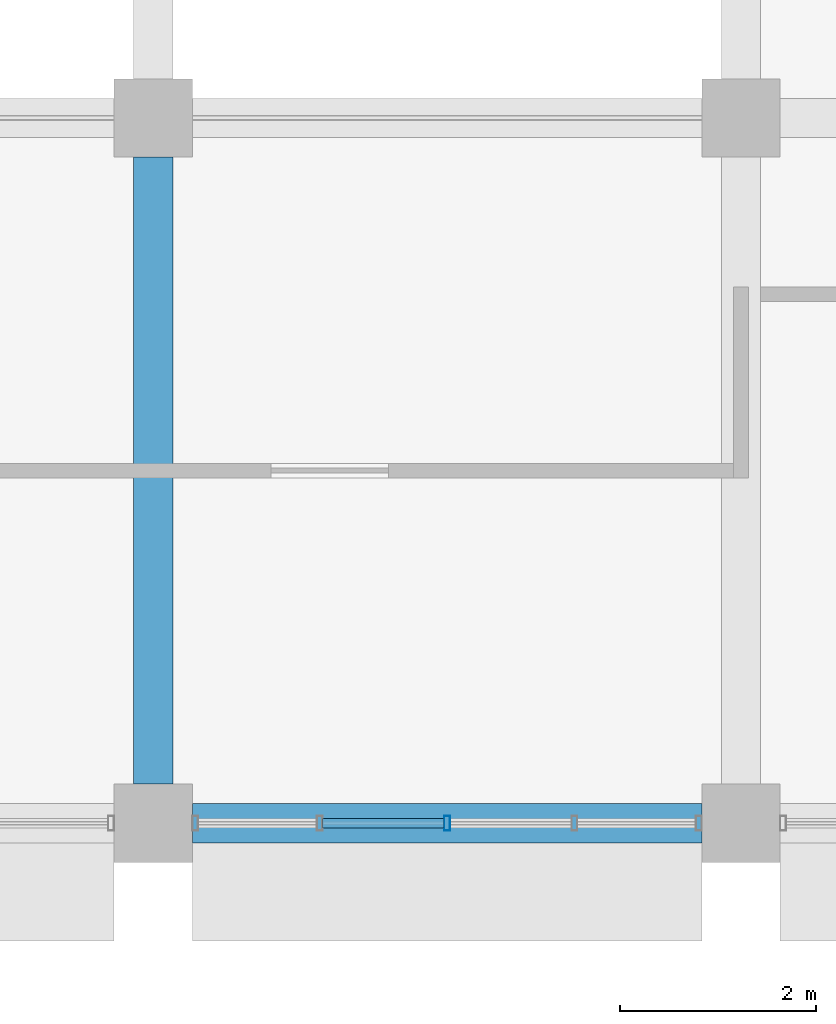
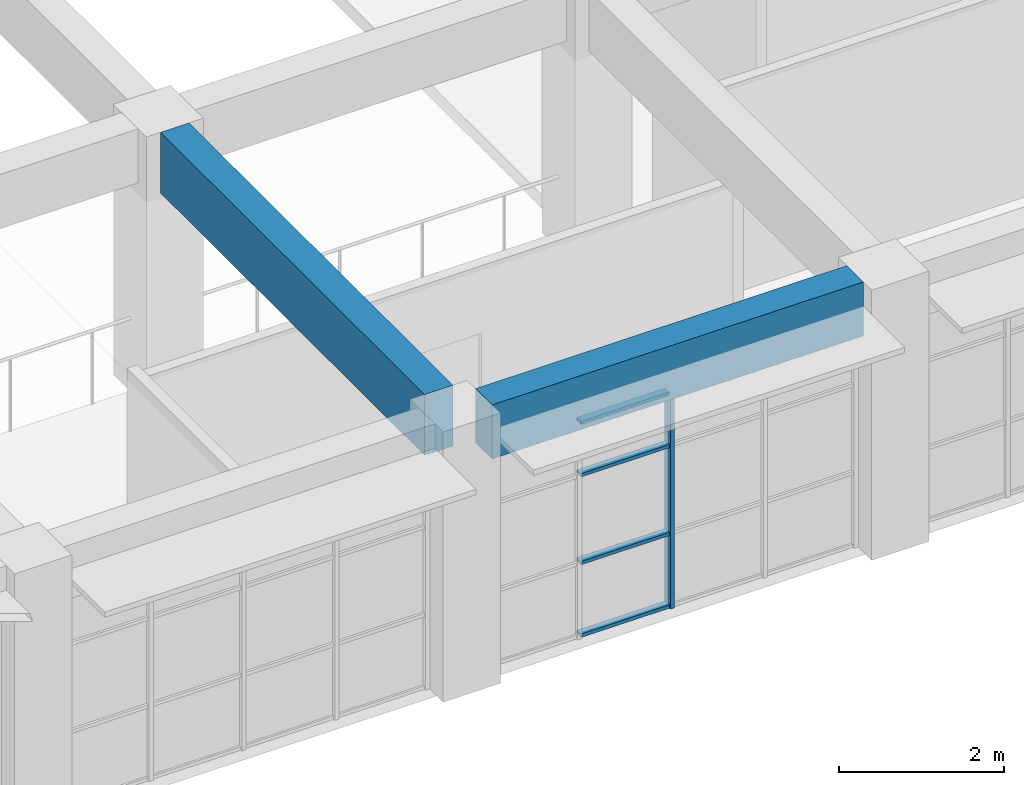
# One storey, part 11 of 47: 5 members, 2 beams, 1 element without a shape of its own.
"""IFC4 building model written with IfcOpenShell, lengths in metres."""

from ifc_helpers import new_model, si_unit, direction, frame, origin, origin_2d, place, context, subcontext, project, spatial, rectangle, hollow_rectangle, extrude, material, material_profile, profile_set, type_object, element, aggregate, save


model = new_model("IFC4")

# Units and contexts
model_context = context("Model", 3, precision=1e-05, world=origin(), true_north=direction((0.0, 1.0)))
body_context = subcontext(model_context, "Body", "Model", "MODEL_VIEW")
ifc_project = project(units=[si_unit("LENGTHUNIT", "METRE"), si_unit("AREAUNIT", "SQUARE_METRE"), si_unit("VOLUMEUNIT", "CUBIC_METRE"), si_unit("PLANEANGLEUNIT", "RADIAN"), si_unit("MASSUNIT", "GRAM", prefix="KILO")], contexts=[model_context])

# Site, building, storey
site_placement = place(None, origin())
site = spatial("IfcSite", under=ifc_project, at=site_placement, CompositionType="ELEMENT")
building_placement = place(site_placement, origin())
building = spatial("IfcBuilding", under=site, at=building_placement, Name="Laocheng Heights Fire and Rescue Headquarters", CompositionType="ELEMENT")
storey_placement = place(building_placement, frame((0.0, 0.0, 16.800048828125)))
storey = spatial("IfcBuildingStorey", under=building, at=storey_placement, Name="L04", CompositionType="ELEMENT", Elevation=16.800048828125)

# Curtain wall, members
ifc_material_1 = material(Name="Dark anodised aluminium unitised curtain wall, low-e double glazing", Category="aluminium")
curtain_wall_type = type_object("IfcCurtainWallType", Name="CW 5200 x 3200 HQ SOUTH RIBBON", PredefinedType="NOTDEFINED", material=ifc_material_1)
curtain_wall_placement = place(storey_placement, origin())
curtain_wall = element("IfcCurtainWall", 1, at=curtain_wall_placement, inside=storey, type_object=curtain_wall_type, Name="X13-X HQ SOUTH L04", PredefinedType="NOTDEFINED")
ifc_material_2 = material(Name="Dark anodised aluminium 6063-T5 extrusion", Category="aluminium")
ifc_material_profile_1 = material_profile(ifc_material_2, hollow_rectangle(XDim=0.14990234375, YDim=0.06005859375, WallThickness=0.0029296875, at=origin_2d()), Name="AL MULLION 150x60x3 HQ SOUTH RIBBON")
ifc_profile_set_1 = profile_set([ifc_material_profile_1], Name="Dark anodised aluminium 6063-T5 extrusion")
member_type_1 = type_object("IfcMemberType", Name="AL MULLION 150x60x3 HQ SOUTH RIBBON", PredefinedType="MULLION", material=ifc_profile_set_1)
member_1_placement = place(storey_placement, frame((63.0, 50.39990234375, 0.0), z_axis=(0.0, 0.0, 1.0), x_axis=(0.0, 1.0, 0.0)))
member_1 = element("IfcMember", 2, at=member_1_placement, type_object=member_type_1, Name="X13-X mullion 3", PredefinedType="MULLION", context=body_context, shape_type="SweptSolid", body=[
    extrude(hollow_rectangle(XDim=0.14990234375, YDim=0.06005859375, WallThickness=0.0029296875, at=origin_2d()), origin(), (0.0, 0.0, 1.0), 3.199951171875),
])
ifc_material_3 = material(Name="Dark anodised aluminium 6063-T5 extrusion", Category="aluminium")
ifc_material_profile_2 = material_profile(ifc_material_3, hollow_rectangle(XDim=0.10009765625, YDim=0.050048828125, WallThickness=0.0029296875, at=origin_2d()), Name="AL TRANSOM 100x50x3 HQ SOUTH RIBBON")
ifc_profile_set_2 = profile_set([ifc_material_profile_2], Name="Dark anodised aluminium 6063-T5 extrusion")
member_type_2 = type_object("IfcMemberType", Name="AL TRANSOM 100x50x3 HQ SOUTH RIBBON", PredefinedType="USERDEFINED", material=ifc_profile_set_2)
member_2_placement = place(storey_placement, frame((61.72998046875, 50.39990234375, 0.02490234375), z_axis=(1.0, 0.0, 0.0), x_axis=(0.0, 1.0, 0.0)))
member_2 = element("IfcMember", 3, at=member_2_placement, type_object=member_type_2, Name="X13-X transom 2.1", ObjectType="TRANSOM", PredefinedType="USERDEFINED", context=body_context, shape_type="SweptSolid", body=[
    extrude(hollow_rectangle(XDim=0.10009765625, YDim=0.050048828125, WallThickness=0.0029296875, at=origin_2d()), origin(), (0.0, 0.0, 1.0), 1.239990234375),
])
member_3_placement = place(storey_placement, frame((61.72998046875, 50.39990234375, 1.099853515625), z_axis=(1.0, 0.0, 0.0), x_axis=(0.0, 1.0, 0.0)))
member_3 = element("IfcMember", 4, at=member_3_placement, type_object=member_type_2, Name="X13-X transom 2.2", ObjectType="TRANSOM", PredefinedType="USERDEFINED", context=body_context, shape_type="SweptSolid", body=[
    extrude(hollow_rectangle(XDim=0.10009765625, YDim=0.050048828125, WallThickness=0.0029296875, at=origin_2d()), origin(), (0.0, 0.0, 1.0), 1.239990234375),
])
member_4_placement = place(storey_placement, frame((61.72998046875, 50.39990234375, 2.39990234375), z_axis=(1.0, 0.0, 0.0), x_axis=(0.0, 1.0, 0.0)))
member_4 = element("IfcMember", 5, at=member_4_placement, type_object=member_type_2, Name="X13-X transom 2.3", ObjectType="TRANSOM", PredefinedType="USERDEFINED", context=body_context, shape_type="SweptSolid", body=[
    extrude(hollow_rectangle(XDim=0.10009765625, YDim=0.050048828125, WallThickness=0.0029296875, at=origin_2d()), origin(), (0.0, 0.0, 1.0), 1.239990234375),
])
member_5_placement = place(storey_placement, frame((61.72998046875, 50.39990234375, 3.175048828125), z_axis=(1.0, 0.0, 0.0), x_axis=(0.0, 1.0, 0.0)))
member_5 = element("IfcMember", 6, at=member_5_placement, type_object=member_type_2, Name="X13-X transom 2.4", ObjectType="TRANSOM", PredefinedType="USERDEFINED", context=body_context, shape_type="SweptSolid", body=[
    extrude(hollow_rectangle(XDim=0.10009765625, YDim=0.050048828125, WallThickness=0.0029296875, at=origin_2d()), origin(), (0.0, 0.0, 1.0), 1.239990234375),
])
aggregate(curtain_wall, [member_1, member_2, member_3, member_4, member_5])

# Beams
ifc_material_4 = material(Name="Concrete C40", Category="concrete")
ifc_material_profile_3 = material_profile(ifc_material_4, rectangle(XDim=0.39990234375, YDim=0.800048828125, at=origin_2d()), Name="RC BEAM 400x800 HQ")
ifc_profile_set_3 = profile_set([ifc_material_profile_3], Name="Concrete C40")
beam_type_1 = type_object("IfcBeamType", Name="RC BEAM 400x800 HQ", PredefinedType="BEAM", material=ifc_profile_set_3)
beam_1_placement = place(storey_placement, frame((60.39990234375, 50.39990234375, 3.599853515625), z_axis=(1.0, 0.0, 0.0), x_axis=(0.0, 1.0, 0.0)))
element("IfcBeam", 7, at=beam_1_placement, inside=storey, type_object=beam_type_1, Name="HQ beam L04", PredefinedType="BEAM", context=body_context, shape_type="SweptSolid", body=[
    extrude(rectangle(XDim=0.39990234375, YDim=0.800048828125, at=origin_2d()), origin(), (0.0, 0.0, 1.0), 5.2001953125),
])
ifc_material_5 = material(Name="Concrete C40", Category="concrete")
ifc_material_profile_4 = material_profile(ifc_material_5, rectangle(XDim=0.39990234375, YDim=0.89990234375, at=origin_2d()), Name="RC BEAM 400x900 HQ")
ifc_profile_set_4 = profile_set([ifc_material_profile_4], Name="Concrete C40")
beam_type_2 = type_object("IfcBeamType", Name="RC BEAM 400x900 HQ", PredefinedType="BEAM", material=ifc_profile_set_4)
beam_2_placement = place(storey_placement, frame((60.0, 50.800048828125, 3.550048828125), z_axis=(0.0, 1.0, 0.0), x_axis=(-1.0, 0.0, 0.0)))
element("IfcBeam", 8, at=beam_2_placement, inside=storey, type_object=beam_type_2, Name="HQ beam L04", PredefinedType="BEAM", context=body_context, shape_type="SweptSolid", body=[
    extrude(rectangle(XDim=0.39990234375, YDim=0.89990234375, at=origin_2d()), origin(), (0.0, 0.0, 1.0), 6.39990234375),
])

save(model, "model.ifc")
